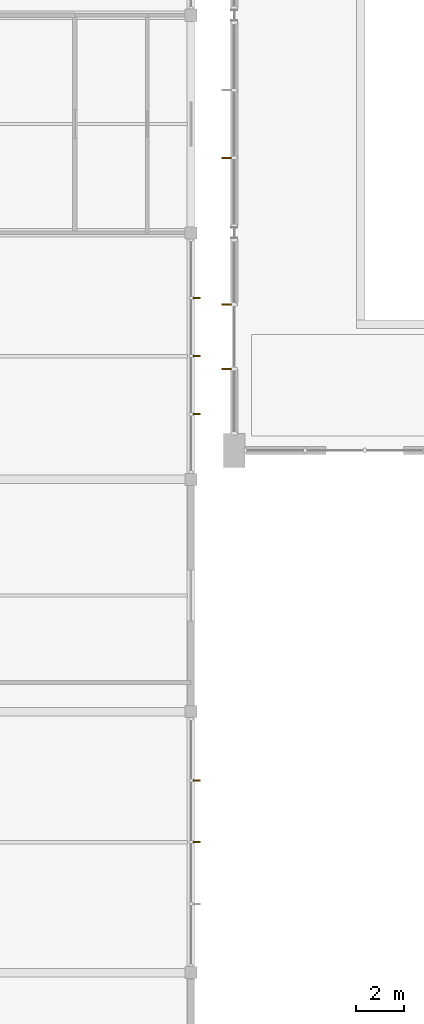
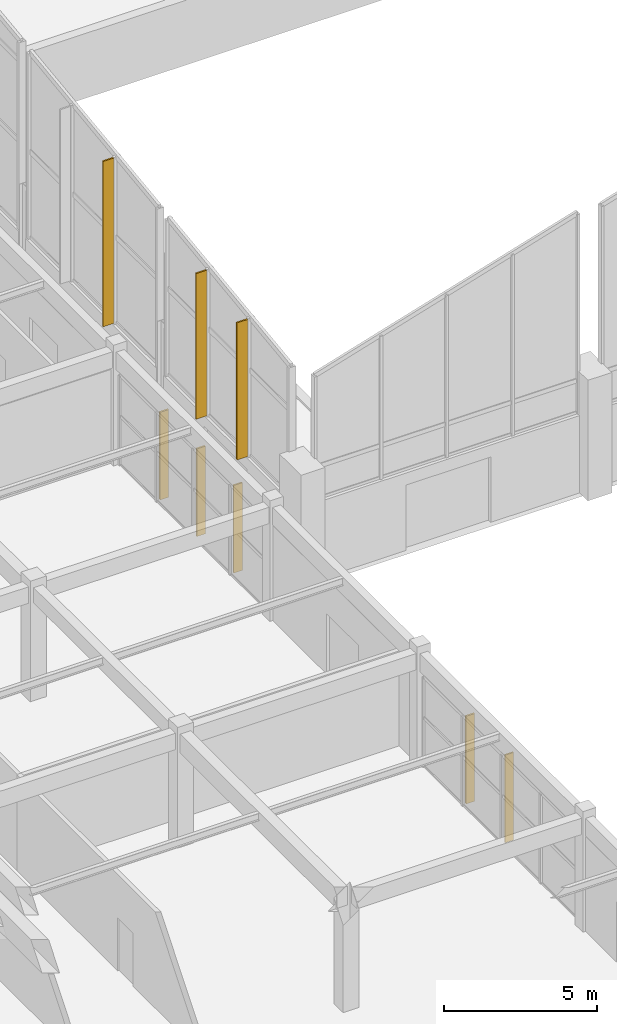
# One storey, part 66 of 82: 8 shading devices.
"""IFC4 building model written with IfcOpenShell, lengths in metres."""

from ifc_helpers import new_model, si_unit, direction, frame, origin, origin_2d, place, context, subcontext, project, spatial, rectangle, extrude, material, type_object, element, save


model = new_model("IFC4")

# Units and contexts
model_context = context("Model", 3, precision=1e-05, world=origin(), true_north=direction((0.0, 1.0)))
body_context = subcontext(model_context, "Body", "Model", "MODEL_VIEW")
ifc_project = project(units=[si_unit("LENGTHUNIT", "METRE"), si_unit("AREAUNIT", "SQUARE_METRE"), si_unit("VOLUMEUNIT", "CUBIC_METRE"), si_unit("PLANEANGLEUNIT", "RADIAN"), si_unit("MASSUNIT", "GRAM", prefix="KILO")], contexts=[model_context])

# Site, building, storey
site_placement = place(None, origin())
site = spatial("IfcSite", under=ifc_project, at=site_placement, CompositionType="ELEMENT")
building_placement = place(site_placement, origin())
building = spatial("IfcBuilding", under=site, at=building_placement, Name="Suirenkawa Promenade Aquatics Centre", CompositionType="ELEMENT")
storey_placement = place(building_placement, origin())
storey = spatial("IfcBuildingStorey", under=building, at=storey_placement, Name="L00", CompositionType="ELEMENT", Elevation=0.0)

# Shading devices
ifc_material = material(Name="Anodised aluminium 6063-T6", Category="aluminium")
shading_device_type_1 = type_object("IfcShadingDeviceType", Name="SDT-KOUSHI-320", PredefinedType="USERDEFINED", material=ifc_material)
for number, where, z_axis, x_axis, name in (
    (1, (45.23193359375, 36.75048828125, 0.0400390625), (0.0, 0.0, 1.0), (1.0, 0.0, 0.0), "Vertical solar shading fin FN-02 FIN-0074"),
    (2, (45.23193359375, 34.199951171875, 0.0400390625), (0.0, 0.0, 1.0), (1.0, 0.0, 0.0), "Vertical solar shading fin FN-02 FIN-0075"),
    (3, (45.23193359375, 56.700439453125, 0.0400390625), (0.0, 0.0, 1.0), (1.0, 0.0, 0.0), "Vertical solar shading fin FN-02 FIN-0080"),
    (4, (45.23193359375, 54.300048828125, 0.0400390625), (0.0, 0.0, 1.0), (1.0, 0.0, 0.0), "Vertical solar shading fin FN-02 FIN-0081"),
    (5, (45.23193359375, 51.8994140625, 0.0400390625), (0.0, 0.0, 1.0), (1.0, 0.0, 0.0), "Vertical solar shading fin FN-02 FIN-0082"),
):
    element("IfcShadingDevice", number, at=place(storey_placement, frame(where, z_axis=z_axis, x_axis=x_axis)), inside=storey, type_object=shading_device_type_1, Name=name, ObjectType="FIN", PredefinedType="USERDEFINED", context=body_context, shape_type="SweptSolid", body=[
        extrude(rectangle(XDim=0.320068359375, YDim=0.06005859375, at=origin_2d()), origin(), (0.0, 0.0, 1.0), 3.489990234375),
    ])
shading_device_type_2 = type_object("IfcShadingDeviceType", Name="SDT-KOUSHI-400", PredefinedType="USERDEFINED", material=ifc_material)
shading_device_1_placement = place(storey_placement, frame((46.47802734375, 53.766357421875, 2.990234375), z_axis=(0.0, 0.0, 1.0), x_axis=(-1.0, 0.0, 0.0)))
element("IfcShadingDevice", 6, at=shading_device_1_placement, inside=storey, type_object=shading_device_type_2, Name="Vertical solar shading fin FN-01 FIN-0001", ObjectType="FIN", PredefinedType="USERDEFINED", context=body_context, shape_type="SweptSolid", body=[
    extrude(rectangle(XDim=0.39990234375, YDim=0.06005859375, at=origin_2d()), origin(), (0.0, 0.0, 1.0), 5.453857421875),
])
shading_device_2_placement = place(storey_placement, frame((46.47802734375, 56.43359375, 2.990234375), z_axis=(0.0, 0.0, 1.0), x_axis=(-1.0, 0.0, 0.0)))
element("IfcShadingDevice", 7, at=shading_device_2_placement, inside=storey, type_object=shading_device_type_2, Name="Vertical solar shading fin FN-01 FIN-0002", ObjectType="FIN", PredefinedType="USERDEFINED", context=body_context, shape_type="SweptSolid", body=[
    extrude(rectangle(XDim=0.39990234375, YDim=0.06005859375, at=origin_2d()), origin(), (0.0, 0.0, 1.0), 5.797607421875),
])
shading_device_3_placement = place(storey_placement, frame((46.47802734375, 62.499755859375, 2.989990234375), z_axis=(0.0, 0.0, 1.0), x_axis=(-1.0, 0.0, 0.0)))
element("IfcShadingDevice", 8, at=shading_device_3_placement, inside=storey, type_object=shading_device_type_2, Name="Vertical solar shading fin FN-01 FIN-0003", ObjectType="FIN", PredefinedType="USERDEFINED", context=body_context, shape_type="SweptSolid", body=[
    extrude(rectangle(XDim=0.39990234375, YDim=0.06005859375, at=origin_2d()), origin(), (0.0, 0.0, 1.0), 6.57958984375),
])

save(model, "model.ifc")
